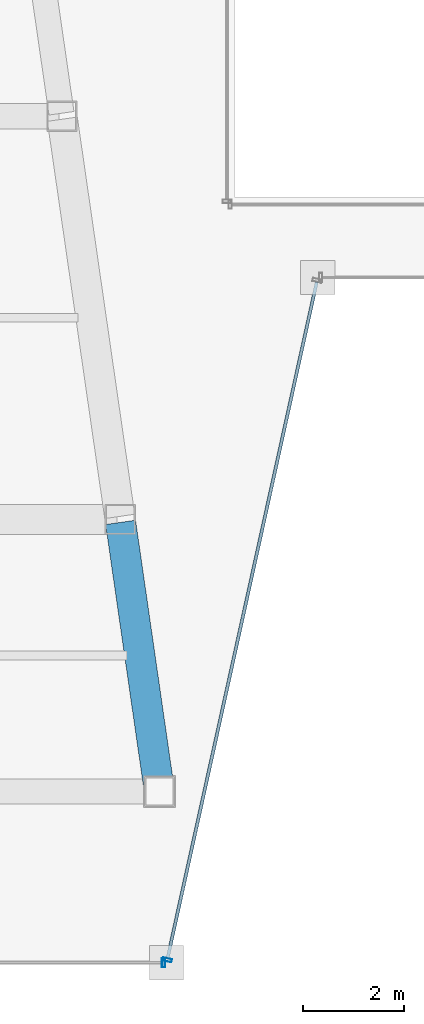
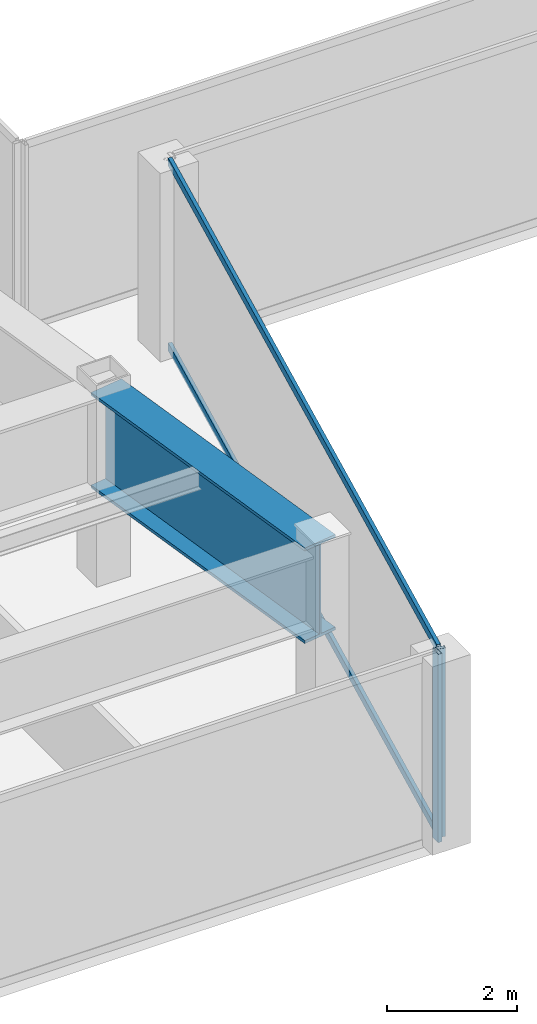
# One storey, part 5 of 37: 4 members, 1 beam, 2 elements without a shape of their own.
"""IFC4 building model written with IfcOpenShell, lengths in metres."""

from ifc_helpers import new_model, si_unit, direction, frame, origin, origin_2d, place, context, subcontext, project, spatial, hollow_rectangle, i_section, extrude, material, material_profile, profile_set, type_object, element, aggregate, save


model = new_model("IFC4")

# Units and contexts
model_context = context("Model", 3, precision=1e-05, world=origin(), true_north=direction((0.0, 1.0)))
body_context = subcontext(model_context, "Body", "Model", "MODEL_VIEW")
ifc_project = project(units=[si_unit("LENGTHUNIT", "METRE"), si_unit("AREAUNIT", "SQUARE_METRE"), si_unit("VOLUMEUNIT", "CUBIC_METRE"), si_unit("PLANEANGLEUNIT", "RADIAN"), si_unit("MASSUNIT", "GRAM", prefix="KILO")], contexts=[model_context])

# Site, building, storey
site_placement = place(None, origin())
site = spatial("IfcSite", under=ifc_project, at=site_placement, CompositionType="ELEMENT")
building_placement = place(site_placement, origin())
building = spatial("IfcBuilding", under=site, at=building_placement, Name="Saevonmaru Cultural Tower", CompositionType="ELEMENT")
storey_placement = place(building_placement, frame((0.0, 0.0, 163.800048828125)))
storey = spatial("IfcBuildingStorey", under=building, at=storey_placement, Name="L36", CompositionType="ELEMENT", Elevation=163.800048828125)

# Beam
ifc_material_1 = material(Name="Steel HSA600 (600 MPa)", Category="steel")
ifc_material_profile_1 = material_profile(ifc_material_1, i_section(OverallWidth=0.60009765625, OverallDepth=1.800048828125, WebThickness=0.028076171875, FlangeThickness=0.054931640625, at=origin_2d()), Name="PG-1800x600x28x55")
ifc_profile_set_1 = profile_set([ifc_material_profile_1], Name="Steel HSA600 (600 MPa)")
beam_type = type_object("IfcBeamType", Name="BM-TG-PG1800", PredefinedType="BEAM", material=ifc_profile_set_1)
beam_placement = place(storey_placement, frame((22.699462890625, 10.659423828125, 2.64990234375), z_axis=(-0.142977693794, 0.989725911087, 0.0), x_axis=(-0.989725911087, -0.142977693794, 0.0)))
element("IfcBeam", 1, at=beam_placement, inside=storey, type_object=beam_type, Name="L36 West Atrium Girder 1", PredefinedType="BEAM", context=body_context, shape_type="SweptSolid", body=[
    extrude(i_section(OverallWidth=0.60009765625, OverallDepth=1.800048828125, WebThickness=0.028076171875, FlangeThickness=0.054931640625, at=origin_2d()), origin(), (0.0, 0.0, 1.0), 5.336181640625),
])

# Curtain wall, member
ifc_material_2 = material(Name="Satin Bronze Anodised Aluminium", Category="aluminium")
curtain_wall_type = type_object("IfcCurtainWallType", Name="CW-TYP-A", PredefinedType="NOTDEFINED", material=ifc_material_2)
curtain_wall_1_placement = place(storey_placement, origin())
curtain_wall_1 = element("IfcCurtainWall", 2, at=curtain_wall_1_placement, inside=storey, type_object=curtain_wall_type, Name="L36 Unitised Curtain Wall E2", PredefinedType="NOTDEFINED")
ifc_material_profile_2 = material_profile(ifc_material_2, hollow_rectangle(XDim=0.06494140625, YDim=0.179931640625, WallThickness=0.00390625, at=origin_2d()), Name="ALU-MULL-180x65x4")
ifc_profile_set_2 = profile_set([ifc_material_profile_2], Name="Satin Bronze Anodised Aluminium")
member_type_1 = type_object("IfcMemberType", Name="ML-CW-180x65", PredefinedType="MULLION", material=ifc_profile_set_2)
member_1_placement = place(storey_placement, frame((22.788818359375, 7.199951171875, 0.0), z_axis=(0.0, 0.0, 1.0), x_axis=(1.0, 0.0, 0.0)))
member_1 = element("IfcMember", 3, at=member_1_placement, type_object=member_type_1, Name="CW-TW-L36-E2 mullion 2", PredefinedType="MULLION", context=body_context, shape_type="SweptSolid", body=[
    extrude(hollow_rectangle(XDim=0.06494140625, YDim=0.179931640625, WallThickness=0.00390625, at=origin_2d()), origin(), (0.0, 0.0, 1.0), 3.550048828125),
])
aggregate(curtain_wall_1, [member_1])

# Curtain wall, members
curtain_wall_2_placement = place(storey_placement, origin())
curtain_wall_2 = element("IfcCurtainWall", 4, at=curtain_wall_2_placement, inside=storey, type_object=curtain_wall_type, Name="L36 Unitised Curtain Wall E3", PredefinedType="NOTDEFINED")
member_2_placement = place(storey_placement, frame((22.86181640625, 7.258544921875, 0.0), z_axis=(0.0, 0.0, 1.0), x_axis=(0.215413319953, 0.976522965212, 0.0)))
member_2 = element("IfcMember", 5, at=member_2_placement, type_object=member_type_1, Name="CW-TW-L36-E3 mullion 1", PredefinedType="MULLION", context=body_context, shape_type="SweptSolid", body=[
    extrude(hollow_rectangle(XDim=0.06494140625, YDim=0.179931640625, WallThickness=0.00390625, at=origin_2d()), origin(), (0.0, 0.0, 1.0), 3.550048828125),
])
ifc_material_profile_3 = material_profile(ifc_material_2, hollow_rectangle(XDim=0.06494140625, YDim=0.14990234375, WallThickness=0.00390625, at=origin_2d()), Name="ALU-TRAN-150x65x4")
ifc_profile_set_3 = profile_set([ifc_material_profile_3], Name="Satin Bronze Anodised Aluminium")
member_type_2 = type_object("IfcMemberType", Name="TR-CW-150x65", PredefinedType="USERDEFINED", material=ifc_profile_set_3)
member_3_placement = place(storey_placement, frame((22.868896484375, 7.290283203125, 0.032470703125), z_axis=(0.21541214732, 0.976523223885, 0.0), x_axis=(-0.976523223885, 0.21541214732, 0.0)))
member_3 = element("IfcMember", 6, at=member_3_placement, type_object=member_type_2, Name="CW-TW-L36-E3 transom 1.1", ObjectType="TRANSOM", PredefinedType="USERDEFINED", context=body_context, shape_type="SweptSolid", body=[
    extrude(hollow_rectangle(XDim=0.06494140625, YDim=0.14990234375, WallThickness=0.00390625, at=origin_2d()), origin(), (0.0, 0.0, 1.0), 13.741943359375),
])
member_4_placement = place(storey_placement, frame((22.868896484375, 7.290283203125, 3.517333984375), z_axis=(0.21541214732, 0.976523223885, 0.0), x_axis=(-0.976523223885, 0.21541214732, 0.0)))
member_4 = element("IfcMember", 7, at=member_4_placement, type_object=member_type_2, Name="CW-TW-L36-E3 transom 1.2", ObjectType="TRANSOM", PredefinedType="USERDEFINED", context=body_context, shape_type="SweptSolid", body=[
    extrude(hollow_rectangle(XDim=0.06494140625, YDim=0.14990234375, WallThickness=0.00390625, at=origin_2d()), origin(), (0.0, 0.0, 1.0), 13.741943359375),
])
aggregate(curtain_wall_2, [member_2, member_3, member_4])

save(model, "model.ifc")
